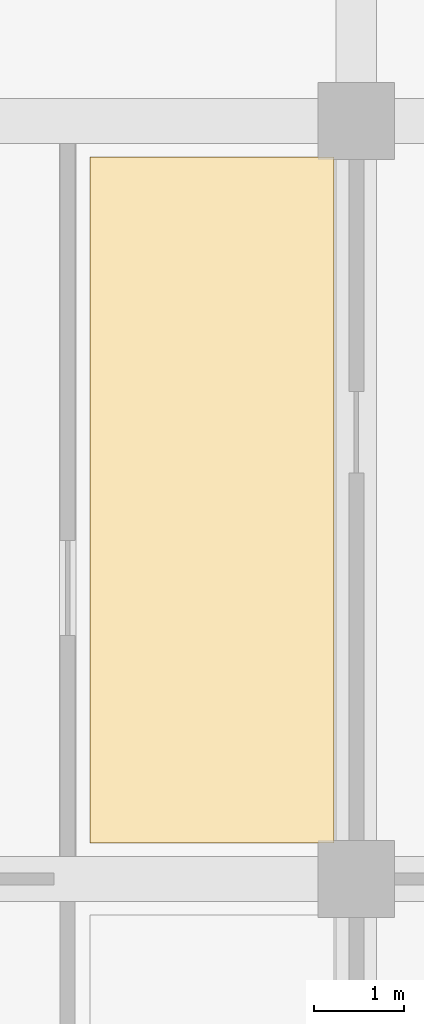
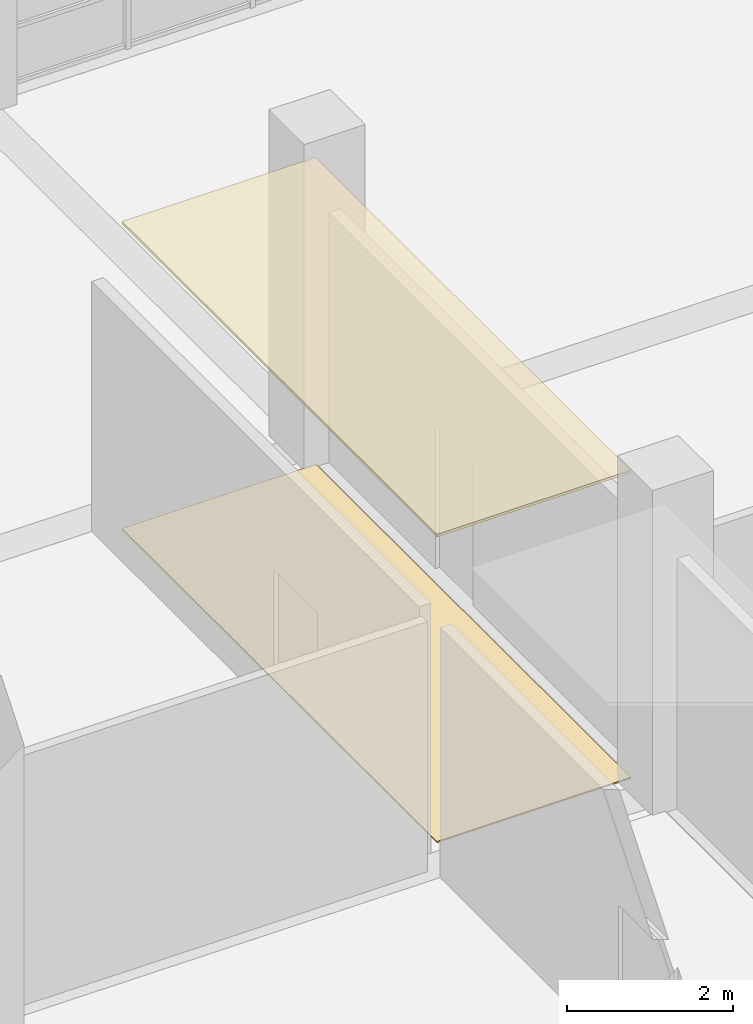
# One storey, part 143 of 152: 2 coverings.
"""IFC4 building model written with IfcOpenShell, lengths in metres."""

from ifc_helpers import new_model, si_unit, direction, frame, origin, place, context, subcontext, project, spatial, polyline, outline, extrude, material, layer, layer_set, type_object, element, save


model = new_model("IFC4")

# Units and contexts
model_context = context("Model", 3, precision=1e-05, world=origin(), true_north=direction((0.0, 1.0)))
body_context = subcontext(model_context, "Body", "Model", "MODEL_VIEW")
ifc_project = project(units=[si_unit("LENGTHUNIT", "METRE"), si_unit("AREAUNIT", "SQUARE_METRE"), si_unit("VOLUMEUNIT", "CUBIC_METRE"), si_unit("PLANEANGLEUNIT", "RADIAN"), si_unit("MASSUNIT", "GRAM", prefix="KILO")], contexts=[model_context])

# Site, building, storey
site_placement = place(None, origin())
site = spatial("IfcSite", under=ifc_project, at=site_placement, CompositionType="ELEMENT")
building_placement = place(site_placement, origin())
building = spatial("IfcBuilding", under=site, at=building_placement, Name="Oolite Switchyard Hospital", CompositionType="ELEMENT")
storey_placement = place(building_placement, frame((0.0, 0.0, 5.10009765625)))
storey = spatial("IfcBuildingStorey", under=building, at=storey_placement, Name="L01", CompositionType="ELEMENT", Elevation=5.10009765625)

# Coverings
ifc_material_1 = material(Name="Hygienic washable mineral-fibre acoustic ceiling")
ifc_layer_1 = layer(ifc_material_1, 0.0400390625)
ifc_layer_set_1 = layer_set([ifc_layer_1], Name="COV-CEIL-AC60")
covering_type_1 = type_object("IfcCoveringType", Name="COV-CEIL-AC60", PredefinedType="CEILING", material=ifc_layer_set_1)
covering_1_placement = place(storey_placement, frame((0.0, 0.0, 4.5)))
element("IfcCovering", 1, at=covering_1_placement, inside=storey, type_object=covering_type_1, Name="L01 East Cloister Perioperative Corridor L01 Ceiling 8", PredefinedType="CEILING", context=body_context, shape_type="SweptSolid", body=[
    extrude(outline(polyline([(121.85009765625, 92.800048828125), (124.550048828125, 92.800048828125), (124.550048828125, 100.39990234375), (121.85009765625, 100.39990234375), (121.85009765625, 92.800048828125)])), origin(), (0.0, 0.0, 1.0), 0.039794921875),
])
ifc_material_2 = material(Name="Epoxy terrazzo seamless clinical flooring")
ifc_layer_2 = layer(ifc_material_2, 0.02001953125)
ifc_layer_set_2 = layer_set([ifc_layer_2], Name="COV-FLR-TER20")
covering_type_2 = type_object("IfcCoveringType", Name="COV-FLR-TER20", PredefinedType="FLOORING", material=ifc_layer_set_2)
covering_2_placement = place(storey_placement, origin())
element("IfcCovering", 2, at=covering_2_placement, inside=storey, type_object=covering_type_2, Name="L01 East Cloister Perioperative Corridor L01 Flooring 8", PredefinedType="FLOORING", context=body_context, shape_type="SweptSolid", body=[
    extrude(outline(polyline([(121.85009765625, 92.800048828125), (124.550048828125, 92.800048828125), (124.550048828125, 100.39990234375), (121.85009765625, 100.39990234375), (121.85009765625, 92.800048828125)])), origin(), (0.0, 0.0, 1.0), 0.02001953125),
])

save(model, "model.ifc")
